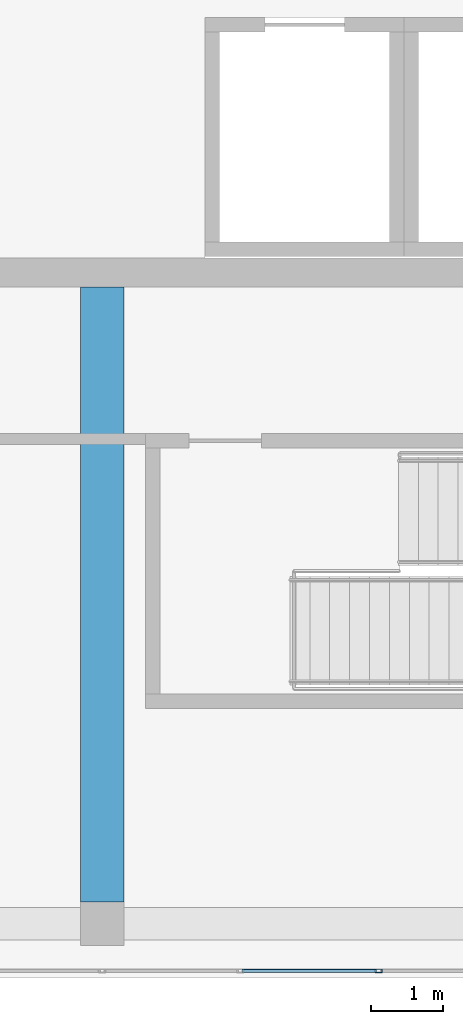
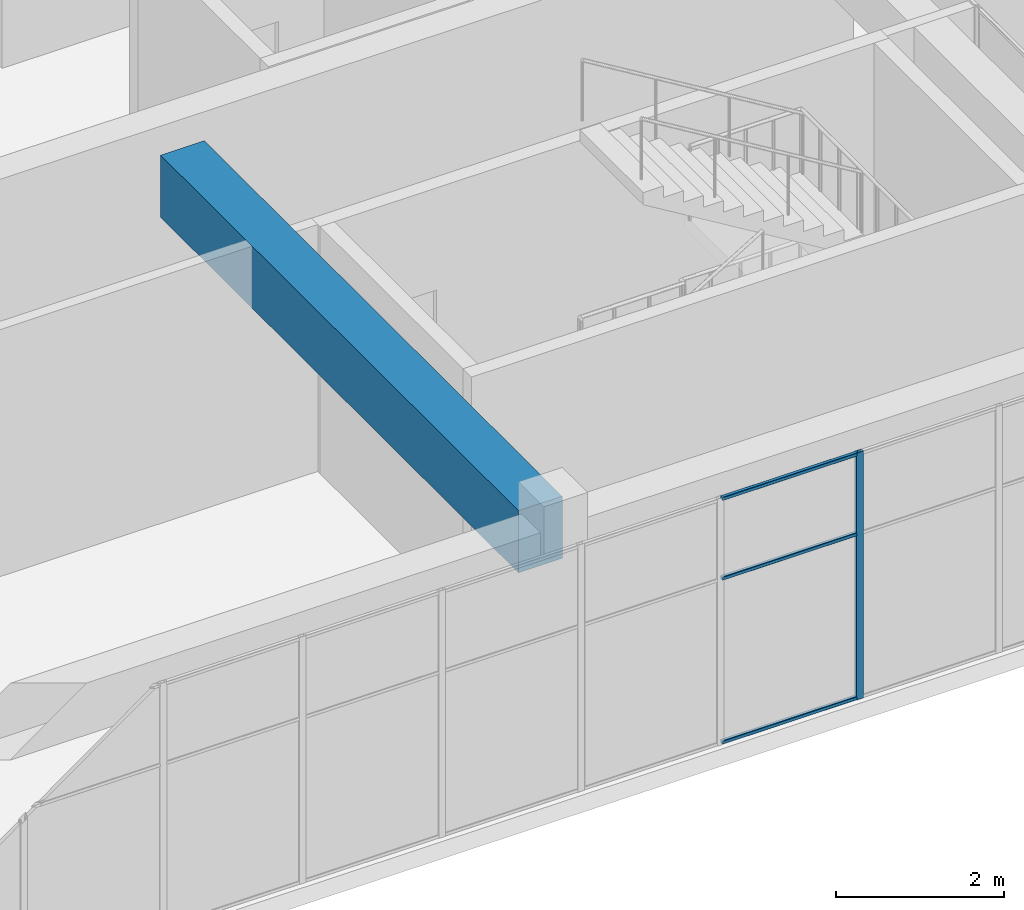
# One storey, part 7 of 35: 4 members, 1 beam, 1 element without a shape of its own.
"""IFC4 building model written with IfcOpenShell, lengths in metres."""

from ifc_helpers import new_model, si_unit, direction, frame, origin, origin_2d, place, context, subcontext, project, spatial, rectangle, hollow_rectangle, extrude, material, layer, layer_set, material_profile, profile_set, type_object, element, aggregate, save


model = new_model("IFC4")

# Units and contexts
model_context = context("Model", 3, precision=1e-05, world=origin(), true_north=direction((0.0, 1.0)))
body_context = subcontext(model_context, "Body", "Model", "MODEL_VIEW")
ifc_project = project(units=[si_unit("LENGTHUNIT", "METRE"), si_unit("AREAUNIT", "SQUARE_METRE"), si_unit("VOLUMEUNIT", "CUBIC_METRE"), si_unit("PLANEANGLEUNIT", "RADIAN"), si_unit("MASSUNIT", "GRAM", prefix="KILO")], contexts=[model_context])

# Site, building, storey
site_placement = place(None, origin())
site = spatial("IfcSite", under=ifc_project, at=site_placement, CompositionType="ELEMENT")
building_placement = place(site_placement, origin())
building = spatial("IfcBuilding", under=site, at=building_placement, Name="Tuart Plaza Theatre", CompositionType="ELEMENT")
storey_placement = place(building_placement, frame((0.0, 0.0, 49.5)))
storey = spatial("IfcBuildingStorey", under=building, at=storey_placement, Name="L12", CompositionType="ELEMENT", Elevation=49.5)

# Beam
ifc_material_1 = material(Name="Concrete N40 (40 MPa)", Category="concrete")
ifc_material_profile_1 = material_profile(ifc_material_1, rectangle(XDim=0.60009765625, YDim=0.89990234375, at=origin_2d()), Name="BEAM 600x900 Concrete N40 (40 MPa)")
ifc_profile_set_1 = profile_set([ifc_material_profile_1], Name="Concrete N40 (40 MPa)")
beam_type = type_object("IfcBeamType", Name="BEAM 600x900 Concrete N40 (40 MPa)", PredefinedType="BEAM", material=ifc_profile_set_1)
beam_placement = place(storey_placement, frame((132.0, 56.300048828125, 3.1298828125), z_axis=(0.0, 1.0, 0.0), x_axis=(-1.0, 0.0, 0.0)))
element("IfcBeam", 1, at=beam_placement, inside=storey, type_object=beam_type, Name="RB300", PredefinedType="BEAM", context=body_context, shape_type="SweptSolid", body=[
    extrude(rectangle(XDim=0.60009765625, YDim=0.89990234375, at=origin_2d()), origin(), (0.0, 0.0, 1.0), 8.5),
])

# Curtain wall, members
ifc_material_2 = material(Name="Aluminium and glass", Category="aluminium")
ifc_layer = layer(ifc_material_2, 0.10009765625)
ifc_layer_set = layer_set([ifc_layer], Name="CURTAIN WALL 2000 module")
curtain_wall_type = type_object("IfcCurtainWallType", Name="CURTAIN WALL 2000 module", PredefinedType="NOTDEFINED", material=ifc_layer_set)
curtain_wall_placement = place(storey_placement, origin())
curtain_wall = element("IfcCurtainWall", 2, at=curtain_wall_placement, inside=storey, type_object=curtain_wall_type, Name="CW111", PredefinedType="NOTDEFINED")
ifc_material_3 = material(Name="Aluminium 6063-T5", Category="aluminium")
ifc_material_profile_2 = material_profile(ifc_material_3, hollow_rectangle(XDim=0.050048828125, YDim=0.10009765625, WallThickness=0.00390625, InnerFilletRadius=0.00390625, OuterFilletRadius=0.008056640625, at=origin_2d()), Name="RHS 100x50x4")
ifc_profile_set_2 = profile_set([ifc_material_profile_2], Name="Aluminium 6063-T5")
member_type_1 = type_object("IfcMemberType", Name="MULLION RHS 100x50x4", PredefinedType="MULLION", material=ifc_profile_set_2)
member_1_placement = place(storey_placement, frame((135.820068359375, 55.35009765625, 0.0), z_axis=(0.0, 0.0, 1.0), x_axis=(0.0, 1.0, 0.0)))
member_1 = element("IfcMember", 3, at=member_1_placement, type_object=member_type_1, Name="CW111 mullion 8", PredefinedType="MULLION", context=body_context, shape_type="SweptSolid", body=[
    extrude(hollow_rectangle(XDim=0.050048828125, YDim=0.10009765625, WallThickness=0.00390625, InnerFilletRadius=0.00390625, OuterFilletRadius=0.008056640625, at=origin_2d()), origin(), (0.0, 0.0, 1.0), 3.580078125),
])
ifc_material_4 = material(Name="Aluminium 6063-T5", Category="aluminium")
ifc_material_profile_3 = material_profile(ifc_material_4, hollow_rectangle(XDim=0.050048828125, YDim=0.050048828125, WallThickness=0.00390625, InnerFilletRadius=0.00390625, OuterFilletRadius=0.008056640625, at=origin_2d()), Name="RHS 50x50x4")
ifc_profile_set_3 = profile_set([ifc_material_profile_3], Name="Aluminium 6063-T5")
member_type_2 = type_object("IfcMemberType", Name="TRANSOM RHS 50x50x4", PredefinedType="USERDEFINED", material=ifc_profile_set_3)
member_2_placement = place(storey_placement, frame((133.93505859375, 55.35009765625, 0.02490234375), z_axis=(1.0, 0.0, 0.0), x_axis=(0.0, 1.0, 0.0)))
member_2 = element("IfcMember", 4, at=member_2_placement, type_object=member_type_2, Name="CW111 transom 7.1", ObjectType="TRANSOM", PredefinedType="USERDEFINED", context=body_context, shape_type="SweptSolid", body=[
    extrude(hollow_rectangle(XDim=0.050048828125, YDim=0.050048828125, WallThickness=0.00390625, InnerFilletRadius=0.00390625, OuterFilletRadius=0.008056640625, at=origin_2d()), origin(), (0.0, 0.0, 1.0), 1.85986328125),
])
member_3_placement = place(storey_placement, frame((133.93505859375, 55.35009765625, 2.39990234375), z_axis=(1.0, 0.0, 0.0), x_axis=(0.0, 1.0, 0.0)))
member_3 = element("IfcMember", 5, at=member_3_placement, type_object=member_type_2, Name="CW111 transom 7.2", ObjectType="TRANSOM", PredefinedType="USERDEFINED", context=body_context, shape_type="SweptSolid", body=[
    extrude(hollow_rectangle(XDim=0.050048828125, YDim=0.050048828125, WallThickness=0.00390625, InnerFilletRadius=0.00390625, OuterFilletRadius=0.008056640625, at=origin_2d()), origin(), (0.0, 0.0, 1.0), 1.85986328125),
])
member_4_placement = place(storey_placement, frame((133.93505859375, 55.35009765625, 3.554931640625), z_axis=(1.0, 0.0, 0.0), x_axis=(0.0, 1.0, 0.0)))
member_4 = element("IfcMember", 6, at=member_4_placement, type_object=member_type_2, Name="CW111 transom 7.3", ObjectType="TRANSOM", PredefinedType="USERDEFINED", context=body_context, shape_type="SweptSolid", body=[
    extrude(hollow_rectangle(XDim=0.050048828125, YDim=0.050048828125, WallThickness=0.00390625, InnerFilletRadius=0.00390625, OuterFilletRadius=0.008056640625, at=origin_2d()), origin(), (0.0, 0.0, 1.0), 1.85986328125),
])
aggregate(curtain_wall, [member_1, member_2, member_3, member_4])

save(model, "model.ifc")
